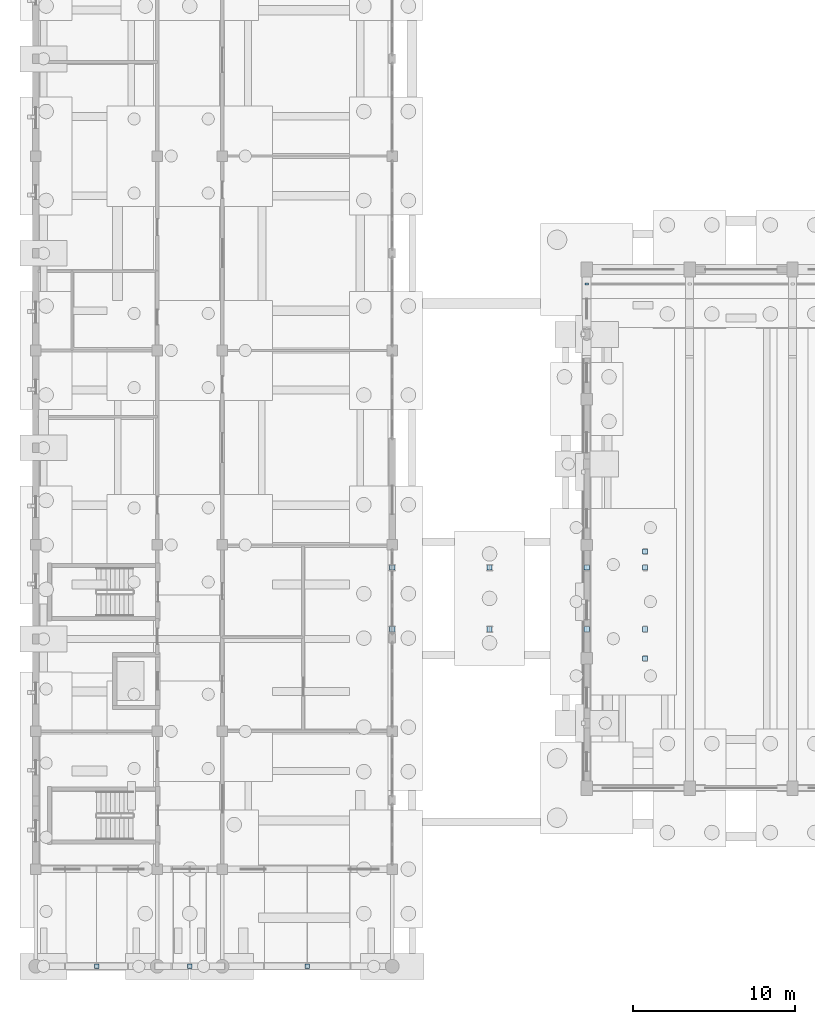
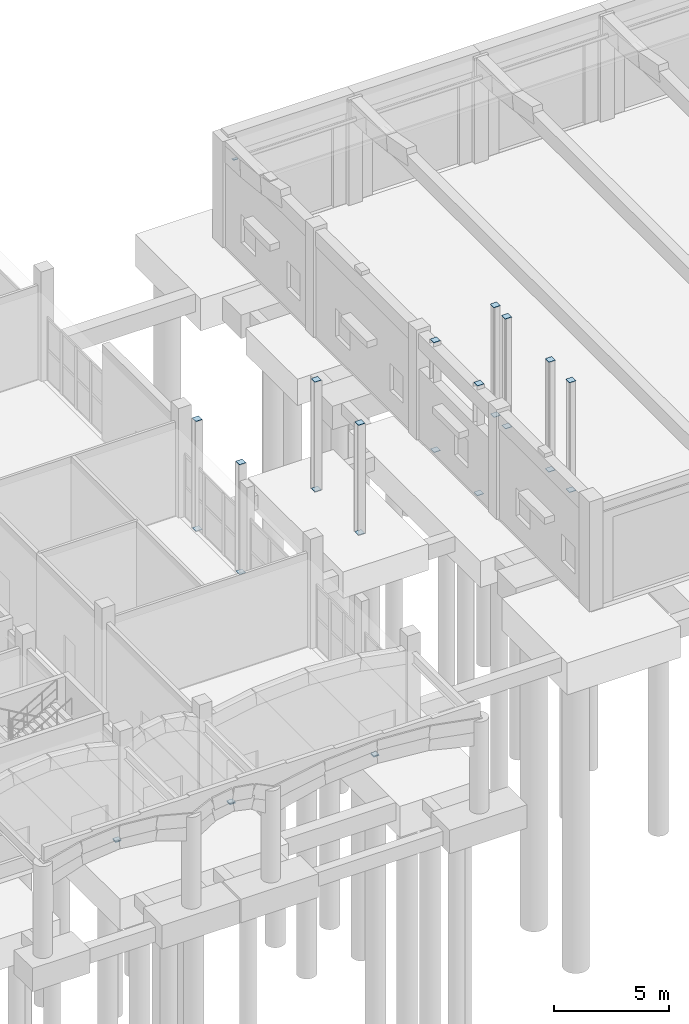
# One storey, part 28 of 60: 27 plates.
"""IFC4 building model written with IfcOpenShell, lengths in metres."""

from ifc_helpers import new_model, si_unit, direction, frame, origin, origin_2d, place, context, subcontext, project, spatial, rectangle, extrude, material, layer, layer_set, type_object, element, save


model = new_model("IFC4")

# Units and contexts
model_context = context("Model", 3, precision=1e-05, world=origin(), true_north=direction((0.0, 1.0)))
body_context = subcontext(model_context, "Body", "Model", "MODEL_VIEW")
ifc_project = project(units=[si_unit("LENGTHUNIT", "METRE"), si_unit("AREAUNIT", "SQUARE_METRE"), si_unit("VOLUMEUNIT", "CUBIC_METRE"), si_unit("PLANEANGLEUNIT", "RADIAN"), si_unit("MASSUNIT", "GRAM", prefix="KILO")], contexts=[model_context])

# Site, building, storey
site_placement = place(None, origin())
site = spatial("IfcSite", under=ifc_project, at=site_placement, CompositionType="ELEMENT")
building_placement = place(site_placement, origin())
building = spatial("IfcBuilding", under=site, at=building_placement, Name="Trellovar Central Fire Station", CompositionType="ELEMENT")
storey_placement = place(building_placement, origin())
storey = spatial("IfcBuildingStorey", under=building, at=storey_placement, Name="L01", CompositionType="ELEMENT", Elevation=0.0)

# Plates
ifc_material_1 = material(Name="Steel ASTM A36", Category="steel")
ifc_layer_1 = layer(ifc_material_1, 0.02392578125)
ifc_layer_set_1 = layer_set([ifc_layer_1], Name="Steel ASTM A36")
plate_type_1 = type_object("IfcPlateType", Name="PLT-EP1", PredefinedType="SHEET", material=ifc_layer_set_1)
for number, where, z_axis, x_axis, name in (
    (1, (23.0, 23.800048828125, -0.011962890625), (0.0, 0.0, 1.0), (1.0, 0.0, 0.0), "HSS end-cap plate 573"),
    (2, (23.0, 23.800048828125, 5.838134765625), (0.0, 0.0, 1.0), (1.0, 0.0, 0.0), "HSS end-cap plate 574"),
    (3, (29.0, 23.800048828125, -0.011962890625), (0.0, 0.0, 1.0), (1.0, 0.0, 0.0), "HSS end-cap plate 575"),
    (4, (29.0, 23.800048828125, 5.838134765625), (0.0, 0.0, 1.0), (1.0, 0.0, 0.0), "HSS end-cap plate 576"),
    (5, (35.0, 23.800048828125, -0.011962890625), (0.0, 0.0, 1.0), (1.0, 0.0, 0.0), "HSS end-cap plate 577"),
    (6, (35.0, 23.800048828125, 5.838134765625), (0.0, 0.0, 1.0), (1.0, 0.0, 0.0), "HSS end-cap plate 578"),
    (7, (23.0, 27.60009765625, -0.011962890625), (0.0, 0.0, 1.0), (1.0, 0.0, 0.0), "HSS end-cap plate 584"),
    (8, (23.0, 27.60009765625, 5.838134765625), (0.0, 0.0, 1.0), (1.0, 0.0, 0.0), "HSS end-cap plate 585"),
    (9, (29.0, 27.60009765625, -0.011962890625), (0.0, 0.0, 1.0), (1.0, 0.0, 0.0), "HSS end-cap plate 586"),
    (10, (29.0, 27.60009765625, 5.838134765625), (0.0, 0.0, 1.0), (1.0, 0.0, 0.0), "HSS end-cap plate 587"),
    (11, (35.0, 27.60009765625, -0.011962890625), (0.0, 0.0, 1.0), (1.0, 0.0, 0.0), "HSS end-cap plate 588"),
    (12, (35.0, 27.60009765625, 5.838134765625), (0.0, 0.0, 1.0), (1.0, 0.0, 0.0), "HSS end-cap plate 589"),
    (13, (38.60009765625, 22.0, -0.011962890625), (0.0, 0.0, 1.0), (1.0, 0.0, 0.0), "HSS end-cap plate 595"),
    (14, (38.60009765625, 22.0, 5.838134765625), (0.0, 0.0, 1.0), (1.0, 0.0, 0.0), "HSS end-cap plate 596"),
    (15, (38.60009765625, 23.800048828125, -0.011962890625), (0.0, 0.0, 1.0), (1.0, 0.0, 0.0), "HSS end-cap plate 598"),
    (16, (38.60009765625, 23.800048828125, 5.838134765625), (0.0, 0.0, 1.0), (1.0, 0.0, 0.0), "HSS end-cap plate 599"),
    (17, (38.60009765625, 27.60009765625, -0.011962890625), (0.0, 0.0, 1.0), (1.0, 0.0, 0.0), "HSS end-cap plate 601"),
    (18, (38.60009765625, 27.60009765625, 5.838134765625), (0.0, 0.0, 1.0), (1.0, 0.0, 0.0), "HSS end-cap plate 602"),
    (19, (38.60009765625, 28.60009765625, -0.011962890625), (0.0, 0.0, 1.0), (1.0, 0.0, 0.0), "HSS end-cap plate 604"),
    (20, (38.60009765625, 28.60009765625, 5.838134765625), (0.0, 0.0, 1.0), (1.0, 0.0, 0.0), "HSS end-cap plate 605"),
):
    element("IfcPlate", number, at=place(storey_placement, frame(where, z_axis=z_axis, x_axis=x_axis)), inside=storey, type_object=plate_type_1, Name=name, PredefinedType="SHEET", context=body_context, shape_type="SweptSolid", body=[
        extrude(rectangle(XDim=0.320068359375, YDim=0.320068359375, at=origin_2d()), origin(), (0.0, 0.0, 1.0), 0.02392578125),
    ])
ifc_material_2 = material(Name="Steel ASTM A36", Category="steel")
ifc_layer_2 = layer(ifc_material_2, 0.02001953125)
ifc_layer_set_2 = layer_set([ifc_layer_2], Name="Steel ASTM A36")
plate_type_2 = type_object("IfcPlateType", Name="PLT-EP2", PredefinedType="SHEET", material=ifc_layer_set_2)
for number, where, z_axis, x_axis, name in (
    (21, (4.75, 3.0, 4.739990234375), (0.0, 0.0, 1.0), (1.0, 0.0, 0.0), "HSS end-cap plate 543"),
    (22, (4.75, 3.0, 4.68994140625), (0.0, 0.0, 1.0), (1.0, 0.0, 0.0), "HSS end-cap plate 544"),
    (23, (10.5, 3.0, 4.739990234375), (0.0, 0.0, 1.0), (1.0, 0.0, 0.0), "HSS end-cap plate 545"),
    (24, (10.5, 3.0, 4.68994140625), (0.0, 0.0, 1.0), (1.0, 0.0, 0.0), "HSS end-cap plate 546"),
    (25, (17.75, 3.0, 4.739990234375), (0.0, 0.0, 1.0), (1.0, 0.0, 0.0), "HSS end-cap plate 547"),
    (26, (17.75, 3.0, 4.68994140625), (0.0, 0.0, 1.0), (1.0, 0.0, 0.0), "HSS end-cap plate 548"),
):
    element("IfcPlate", number, at=place(storey_placement, frame(where, z_axis=z_axis, x_axis=x_axis)), inside=storey, type_object=plate_type_2, Name=name, PredefinedType="SHEET", context=body_context, shape_type="SweptSolid", body=[
        extrude(rectangle(XDim=0.280029296875, YDim=0.280029296875, at=origin_2d()), origin(), (0.0, 0.0, 1.0), 0.02001953125),
    ])
ifc_material_3 = material(Name="Steel ASTM A36", Category="steel")
ifc_layer_3 = layer(ifc_material_3, 0.01611328125)
ifc_layer_set_3 = layer_set([ifc_layer_3], Name="Steel ASTM A36")
plate_type_3 = type_object("IfcPlateType", Name="PLT-EP4", PredefinedType="SHEET", material=ifc_layer_set_3)
plate_placement = place(storey_placement, frame((35.0, 45.103271484375, 4.884765625), z_axis=(0.0, 0.0, 1.0), x_axis=(1.0, 0.0, 0.0)))
element("IfcPlate", 27, at=plate_placement, inside=storey, type_object=plate_type_3, Name="HSS end-cap plate 221", PredefinedType="SHEET", context=body_context, shape_type="SweptSolid", body=[
    extrude(rectangle(XDim=0.219970703125, YDim=0.139892578125, at=origin_2d()), origin(), (0.0, 0.0, 1.0), 0.01611328125),
])

save(model, "model.ifc")
